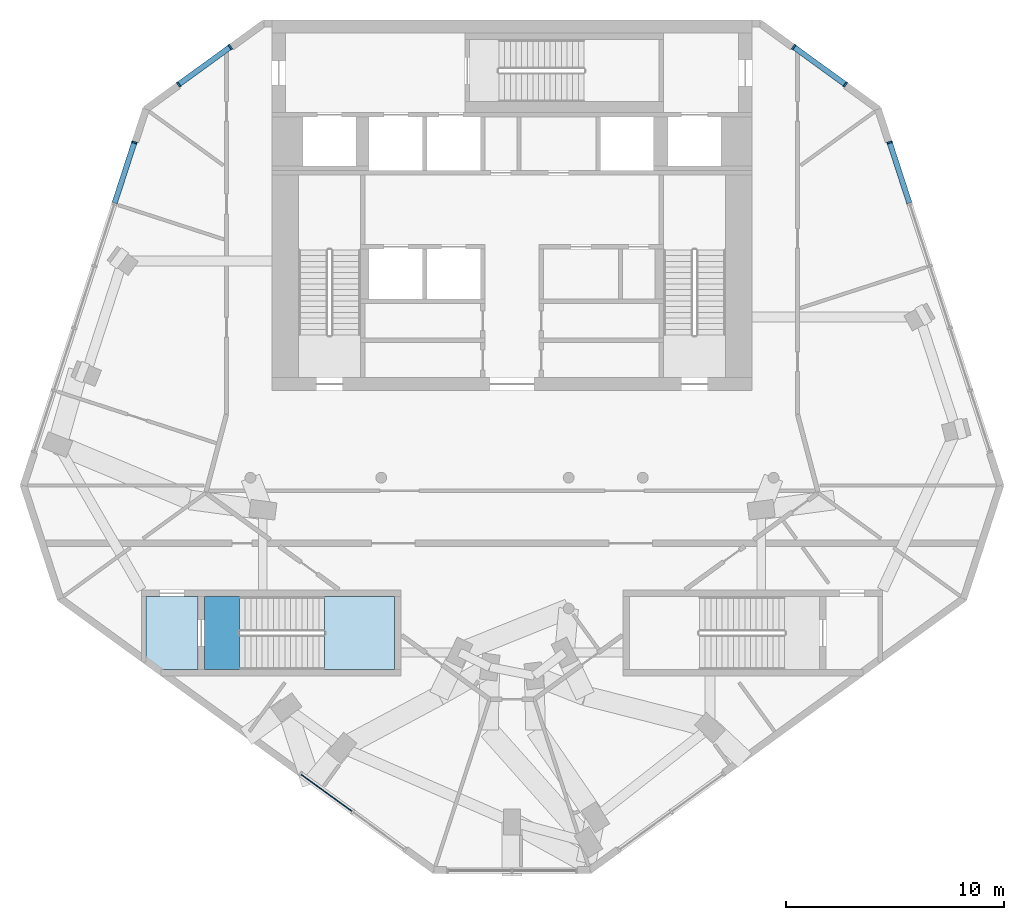
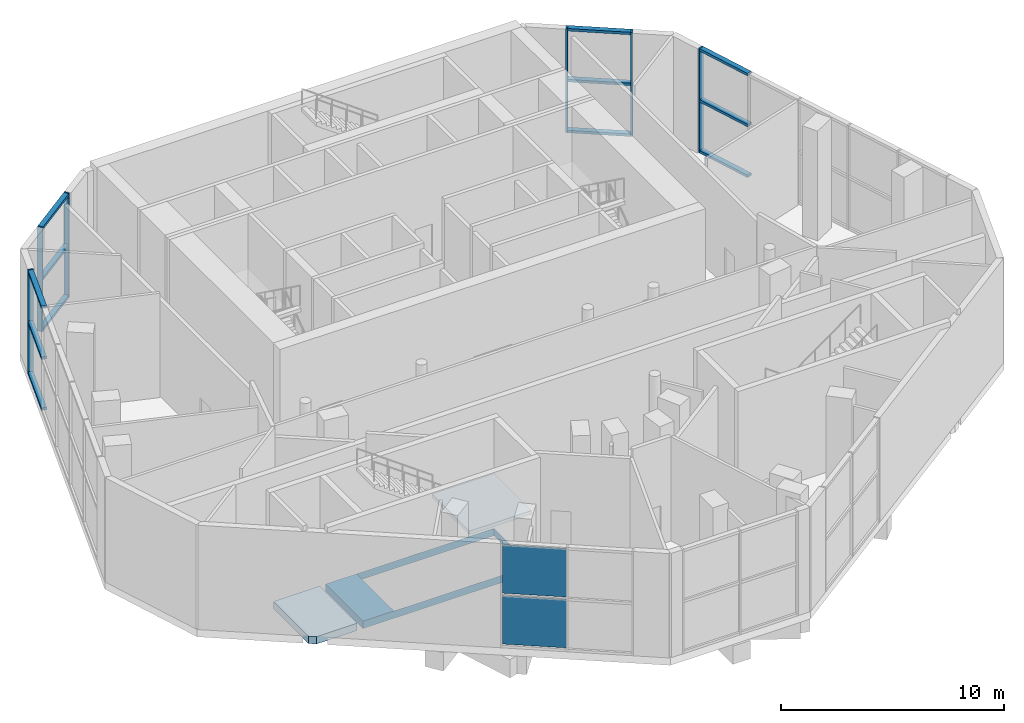
# One storey, part 4 of 11: 18 members, 3 slabs, 2 plates, 6 elements without a shape of their own.
"""IFC4 building model written with IfcOpenShell, lengths in metres."""

from ifc_helpers import new_model, si_unit, direction, frame, origin, origin_2d, place, context, subcontext, project, spatial, polyline, rectangle, outline, extrude, material, layer, layer_set, material_profile, profile_set, type_object, element, aggregate, save


model = new_model("IFC4")

# Units and contexts
model_context = context("Model", 3, precision=1e-05, world=origin(), true_north=direction((0.0, 1.0)))
body_context = subcontext(model_context, "Body", "Model", "MODEL_VIEW")
ifc_project = project(units=[si_unit("LENGTHUNIT", "METRE"), si_unit("AREAUNIT", "SQUARE_METRE"), si_unit("VOLUMEUNIT", "CUBIC_METRE"), si_unit("PLANEANGLEUNIT", "RADIAN"), si_unit("MASSUNIT", "GRAM", prefix="KILO")], contexts=[model_context])

# Site, building, storey
site_placement = place(None, origin())
site = spatial("IfcSite", under=ifc_project, at=site_placement, CompositionType="ELEMENT")
building_placement = place(site_placement, origin())
building = spatial("IfcBuilding", under=site, at=building_placement, Name="White Candle Pilgrim Tower", CompositionType="ELEMENT")
storey_placement = place(building_placement, frame((0.0, 0.0, 300.10009765625)))
storey = spatial("IfcBuildingStorey", under=building, at=storey_placement, Name="L71", CompositionType="ELEMENT", Elevation=300.10009765625)

# Curtain wall, member
ifc_material_1 = material(Name="Aluminium and glass", Category="aluminium")
curtain_wall_type = type_object("IfcCurtainWallType", Name="Curtain wall CW4 sky floor glazing", PredefinedType="NOTDEFINED", material=ifc_material_1)
curtain_wall_1_placement = place(storey_placement, origin())
curtain_wall_1 = element("IfcCurtainWall", 1, at=curtain_wall_1_placement, inside=storey, type_object=curtain_wall_type, Name="Curtain wall CW4 L71 ENE", PredefinedType="NOTDEFINED")
ifc_material_2 = material(Name="Aluminium", Category="aluminium")
ifc_material_profile_1 = material_profile(ifc_material_2, rectangle(XDim=0.25, YDim=0.080078125, at=origin_2d()), Name="CW4 mullion 80x250")
ifc_profile_set_1 = profile_set([ifc_material_profile_1], Name="Aluminium")
member_type_1 = type_object("IfcMemberType", Name="CW4 mullion 80x250", PredefinedType="MULLION", material=ifc_profile_set_1)
member_1_placement = place(storey_placement, frame((87.327880859375, 82.38232421875, 0.0), z_axis=(0.0, 0.0, 1.0), x_axis=(-0.951056521548, -0.309016978207, 0.0)))
member_1 = element("IfcMember", 2, at=member_1_placement, type_object=member_type_1, Name="CW4 mullion 6", PredefinedType="MULLION", context=body_context, shape_type="SweptSolid", body=[
    extrude(rectangle(XDim=0.25, YDim=0.080078125, at=origin_2d()), origin(), (0.0, 0.0, 1.0), 5.699951171875),
])

# Curtain wall, members
curtain_wall_2_placement = place(storey_placement, origin())
curtain_wall_2 = element("IfcCurtainWall", 3, at=curtain_wall_2_placement, inside=storey, type_object=curtain_wall_type, Name="Curtain wall CW4 L71 NE chamfer", PredefinedType="NOTDEFINED")
member_2_placement = place(storey_placement, frame((85.29150390625, 85.044921875, 0.0), z_axis=(0.0, 0.0, 1.0), x_axis=(-0.587785244244, -0.809017000222, 0.0)))
member_2 = element("IfcMember", 4, at=member_2_placement, type_object=member_type_1, Name="CW4 mullion 1", PredefinedType="MULLION", context=body_context, shape_type="SweptSolid", body=[
    extrude(rectangle(XDim=0.25, YDim=0.080078125, at=origin_2d()), origin(), (0.0, 0.0, 1.0), 5.699951171875),
])
member_3_placement = place(storey_placement, frame((82.92919921875, 86.76123046875, 0.0), z_axis=(0.0, 0.0, 1.0), x_axis=(-0.587785244244, -0.809017000222, 0.0)))
member_3 = element("IfcMember", 5, at=member_3_placement, type_object=member_type_1, Name="CW4 mullion 2", PredefinedType="MULLION", context=body_context, shape_type="SweptSolid", body=[
    extrude(rectangle(XDim=0.25, YDim=0.080078125, at=origin_2d()), origin(), (0.0, 0.0, 1.0), 5.699951171875),
])

curtain_wall_3_placement = place(storey_placement, origin())
curtain_wall_3 = element("IfcCurtainWall", 6, at=curtain_wall_3_placement, inside=storey, type_object=curtain_wall_type, Name="Curtain wall CW4 L71 NW chamfer", PredefinedType="NOTDEFINED")
member_4_placement = place(storey_placement, frame((57.07080078125, 86.76123046875, 0.0), z_axis=(0.0, 0.0, 1.0), x_axis=(0.587785244244, -0.809017000222, 0.0)))
member_4 = element("IfcMember", 7, at=member_4_placement, type_object=member_type_1, Name="CW4 mullion 1", PredefinedType="MULLION", context=body_context, shape_type="SweptSolid", body=[
    extrude(rectangle(XDim=0.25, YDim=0.080078125, at=origin_2d()), origin(), (0.0, 0.0, 1.0), 5.699951171875),
])
member_5_placement = place(storey_placement, frame((54.70849609375, 85.044921875, 0.0), z_axis=(0.0, 0.0, 1.0), x_axis=(0.587785244244, -0.809017000222, 0.0)))
member_5 = element("IfcMember", 8, at=member_5_placement, type_object=member_type_1, Name="CW4 mullion 2", PredefinedType="MULLION", context=body_context, shape_type="SweptSolid", body=[
    extrude(rectangle(XDim=0.25, YDim=0.080078125, at=origin_2d()), origin(), (0.0, 0.0, 1.0), 5.699951171875),
])

# Curtain wall, member
curtain_wall_4_placement = place(storey_placement, origin())
curtain_wall_4 = element("IfcCurtainWall", 9, at=curtain_wall_4_placement, inside=storey, type_object=curtain_wall_type, Name="Curtain wall CW4 L71 WNW", PredefinedType="NOTDEFINED")
member_6_placement = place(storey_placement, frame((52.672119140625, 82.38232421875, 0.0), z_axis=(0.0, 0.0, 1.0), x_axis=(0.951056521548, -0.309016978207, 0.0)))
member_6 = element("IfcMember", 10, at=member_6_placement, type_object=member_type_1, Name="CW4 mullion 1", PredefinedType="MULLION", context=body_context, shape_type="SweptSolid", body=[
    extrude(rectangle(XDim=0.25, YDim=0.080078125, at=origin_2d()), origin(), (0.0, 0.0, 1.0), 5.699951171875),
])

# Member
ifc_material_profile_2 = material_profile(ifc_material_2, rectangle(XDim=0.25, YDim=0.139892578125, at=origin_2d()), Name="CW4 transom 140x250")
ifc_profile_set_2 = profile_set([ifc_material_profile_2], Name="Aluminium")
member_type_2 = type_object("IfcMemberType", Name="CW4 transom 140x250", PredefinedType="USERDEFINED", material=ifc_profile_set_2)
member_7_placement = place(storey_placement, frame((88.22998046875, 79.605224609375, 0.06982421875), z_axis=(-0.308995979141, 0.951063344302, 0.0), x_axis=(-0.951063344302, -0.308995979141, 0.0)))
member_7 = element("IfcMember", 11, at=member_7_placement, type_object=member_type_2, Name="CW4 transom 5.1", ObjectType="TRANSOM", PredefinedType="USERDEFINED", context=body_context, shape_type="SweptSolid", body=[
    extrude(rectangle(XDim=0.25, YDim=0.139892578125, at=origin_2d()), origin(), (0.0, 0.0, 1.0), 2.8798828125),
])

member_8_placement = place(storey_placement, frame((88.22998046875, 79.605224609375, 2.849853515625), z_axis=(-0.308995979141, 0.951063344302, 0.0), x_axis=(-0.951063344302, -0.308995979141, 0.0)))
member_8 = element("IfcMember", 12, at=member_8_placement, type_object=member_type_2, Name="CW4 transom 5.2", ObjectType="TRANSOM", PredefinedType="USERDEFINED", context=body_context, shape_type="SweptSolid", body=[
    extrude(rectangle(XDim=0.25, YDim=0.139892578125, at=origin_2d()), origin(), (0.0, 0.0, 1.0), 2.8798828125),
])

member_9_placement = place(storey_placement, frame((88.22998046875, 79.605224609375, 5.6298828125), z_axis=(-0.308995979141, 0.951063344302, 0.0), x_axis=(-0.951063344302, -0.308995979141, 0.0)))
member_9 = element("IfcMember", 13, at=member_9_placement, type_object=member_type_2, Name="CW4 transom 5.3", ObjectType="TRANSOM", PredefinedType="USERDEFINED", context=body_context, shape_type="SweptSolid", body=[
    extrude(rectangle(XDim=0.25, YDim=0.139892578125, at=origin_2d()), origin(), (0.0, 0.0, 1.0), 2.8798828125),
])

aggregate(curtain_wall_1, [member_1, member_7, member_8, member_9])

member_10_placement = place(storey_placement, frame((85.25927734375, 85.068603515625, 0.06982421875), z_axis=(-0.80903709578, 0.587757584087, 0.0), x_axis=(-0.587757584087, -0.80903709578, 0.0)))
member_10 = element("IfcMember", 14, at=member_10_placement, type_object=member_type_2, Name="CW4 transom 1.1", ObjectType="TRANSOM", PredefinedType="USERDEFINED", context=body_context, shape_type="SweptSolid", body=[
    extrude(rectangle(XDim=0.25, YDim=0.139892578125, at=origin_2d()), origin(), (0.0, 0.0, 1.0), 2.83984375),
])

member_11_placement = place(storey_placement, frame((85.25927734375, 85.068603515625, 2.849853515625), z_axis=(-0.80903709578, 0.587757584087, 0.0), x_axis=(-0.587757584087, -0.80903709578, 0.0)))
member_11 = element("IfcMember", 15, at=member_11_placement, type_object=member_type_2, Name="CW4 transom 1.2", ObjectType="TRANSOM", PredefinedType="USERDEFINED", context=body_context, shape_type="SweptSolid", body=[
    extrude(rectangle(XDim=0.25, YDim=0.139892578125, at=origin_2d()), origin(), (0.0, 0.0, 1.0), 2.83984375),
])

member_12_placement = place(storey_placement, frame((85.25927734375, 85.068603515625, 5.6298828125), z_axis=(-0.80903709578, 0.587757584087, 0.0), x_axis=(-0.587757584087, -0.80903709578, 0.0)))
member_12 = element("IfcMember", 16, at=member_12_placement, type_object=member_type_2, Name="CW4 transom 1.3", ObjectType="TRANSOM", PredefinedType="USERDEFINED", context=body_context, shape_type="SweptSolid", body=[
    extrude(rectangle(XDim=0.25, YDim=0.139892578125, at=origin_2d()), origin(), (0.0, 0.0, 1.0), 2.83984375),
])

aggregate(curtain_wall_2, [member_2, member_3, member_10, member_11, member_12])

member_13_placement = place(storey_placement, frame((57.038330078125, 86.73779296875, 0.06982421875), z_axis=(-0.80903709578, -0.587757584087, 0.0), x_axis=(0.587757584087, -0.80903709578, 0.0)))
member_13 = element("IfcMember", 17, at=member_13_placement, type_object=member_type_2, Name="CW4 transom 1.1", ObjectType="TRANSOM", PredefinedType="USERDEFINED", context=body_context, shape_type="SweptSolid", body=[
    extrude(rectangle(XDim=0.25, YDim=0.139892578125, at=origin_2d()), origin(), (0.0, 0.0, 1.0), 2.83984375),
])

member_14_placement = place(storey_placement, frame((57.038330078125, 86.73779296875, 2.849853515625), z_axis=(-0.80903709578, -0.587757584087, 0.0), x_axis=(0.587757584087, -0.80903709578, 0.0)))
member_14 = element("IfcMember", 18, at=member_14_placement, type_object=member_type_2, Name="CW4 transom 1.2", ObjectType="TRANSOM", PredefinedType="USERDEFINED", context=body_context, shape_type="SweptSolid", body=[
    extrude(rectangle(XDim=0.25, YDim=0.139892578125, at=origin_2d()), origin(), (0.0, 0.0, 1.0), 2.83984375),
])

member_15_placement = place(storey_placement, frame((57.038330078125, 86.73779296875, 5.6298828125), z_axis=(-0.80903709578, -0.587757584087, 0.0), x_axis=(0.587757584087, -0.80903709578, 0.0)))
member_15 = element("IfcMember", 19, at=member_15_placement, type_object=member_type_2, Name="CW4 transom 1.3", ObjectType="TRANSOM", PredefinedType="USERDEFINED", context=body_context, shape_type="SweptSolid", body=[
    extrude(rectangle(XDim=0.25, YDim=0.139892578125, at=origin_2d()), origin(), (0.0, 0.0, 1.0), 2.83984375),
])

aggregate(curtain_wall_3, [member_4, member_5, member_13, member_14, member_15])

member_16_placement = place(storey_placement, frame((52.659912109375, 82.34423828125, 0.06982421875), z_axis=(-0.308995979141, -0.951063344302, 0.0), x_axis=(0.951063344302, -0.308995979141, 0.0)))
member_16 = element("IfcMember", 20, at=member_16_placement, type_object=member_type_2, Name="CW4 transom 1.1", ObjectType="TRANSOM", PredefinedType="USERDEFINED", context=body_context, shape_type="SweptSolid", body=[
    extrude(rectangle(XDim=0.25, YDim=0.139892578125, at=origin_2d()), origin(), (0.0, 0.0, 1.0), 2.8798828125),
])

member_17_placement = place(storey_placement, frame((52.659912109375, 82.34423828125, 2.849853515625), z_axis=(-0.308995979141, -0.951063344302, 0.0), x_axis=(0.951063344302, -0.308995979141, 0.0)))
member_17 = element("IfcMember", 21, at=member_17_placement, type_object=member_type_2, Name="CW4 transom 1.2", ObjectType="TRANSOM", PredefinedType="USERDEFINED", context=body_context, shape_type="SweptSolid", body=[
    extrude(rectangle(XDim=0.25, YDim=0.139892578125, at=origin_2d()), origin(), (0.0, 0.0, 1.0), 2.8798828125),
])

member_18_placement = place(storey_placement, frame((52.659912109375, 82.34423828125, 5.6298828125), z_axis=(-0.308995979141, -0.951063344302, 0.0), x_axis=(0.951063344302, -0.308995979141, 0.0)))
member_18 = element("IfcMember", 22, at=member_18_placement, type_object=member_type_2, Name="CW4 transom 1.3", ObjectType="TRANSOM", PredefinedType="USERDEFINED", context=body_context, shape_type="SweptSolid", body=[
    extrude(rectangle(XDim=0.25, YDim=0.139892578125, at=origin_2d()), origin(), (0.0, 0.0, 1.0), 2.8798828125),
])

aggregate(curtain_wall_4, [member_6, member_16, member_17, member_18])

# Curtain wall, plates
curtain_wall_5_placement = place(storey_placement, origin())
curtain_wall_5 = element("IfcCurtainWall", 23, at=curtain_wall_5_placement, inside=storey, type_object=curtain_wall_type, Name="Curtain wall CW4 L71 SW", PredefinedType="NOTDEFINED")
ifc_material_3 = material(Name="Glass, triple glazed", Category="glass")
ifc_layer_1 = layer(ifc_material_3, 0.0439453125)
ifc_layer_set_1 = layer_set([ifc_layer_1], Name="CW4 glazing panel 44")
plate_type = type_object("IfcPlateType", Name="CW4 glazing panel 44", PredefinedType="CURTAIN_PANEL", material=ifc_layer_set_1)
plate_1_placement = place(storey_placement, frame((61.491455078125, 52.541015625, 0.14013671875), z_axis=(0.0, 0.0, 1.0), x_axis=(0.809016988733, -0.587785260058, 0.0)))
plate_1 = element("IfcPlate", 24, at=plate_1_placement, type_object=plate_type, Name="CW4 panel 1.1", PredefinedType="CURTAIN_PANEL", context=body_context, shape_type="SweptSolid", body=[
    extrude(rectangle(XDim=2.8798828125, YDim=0.0439453125, at=origin_2d()), origin(), (0.0, 0.0, 1.0), 2.639892578125),
])
plate_2_placement = place(storey_placement, frame((61.491455078125, 52.541015625, 2.919921875), z_axis=(0.0, 0.0, 1.0), x_axis=(0.809016988733, -0.587785260058, 0.0)))
plate_2 = element("IfcPlate", 25, at=plate_2_placement, type_object=plate_type, Name="CW4 panel 1.2", PredefinedType="CURTAIN_PANEL", context=body_context, shape_type="SweptSolid", body=[
    extrude(rectangle(XDim=2.8798828125, YDim=0.0439453125, at=origin_2d()), origin(), (0.0, 0.0, 1.0), 2.639892578125),
])
aggregate(curtain_wall_5, [plate_1, plate_2])

# Slabs
ifc_material_4 = material(Name="Concrete C40/50", Category="concrete")
ifc_layer_2 = layer(ifc_material_4, 0.39990234375)
ifc_layer_set_2 = layer_set([ifc_layer_2], Name="Core floor slab 400 mm Concrete C40/50")
slab_type_1 = type_object("IfcSlabType", Name="Core floor slab 400 mm Concrete C40/50", PredefinedType="FLOOR", material=ifc_layer_set_2)
slab_1_placement = place(storey_placement, frame((0.0, 0.0, -0.400146484375)))
element("IfcSlab", 26, at=slab_1_placement, inside=storey, type_object=slab_type_1, Name="CF-L71-01", PredefinedType="FLOOR", context=body_context, shape_type="SweptSolid", body=[
    extrude(outline(polyline([(53.90283203125, 58.199951171875), (53.489990234375, 58.199951171875), (53.199951171875, 58.41064453125), (53.199951171875, 58.555908203125), (53.199951171875, 61.550048828125), (55.60009765625, 61.550048828125), (55.60009765625, 58.199951171875), (53.90283203125, 58.199951171875)])), origin(), (0.0, 0.0, 1.0), 0.400146484375),
])
slab_2_placement = place(storey_placement, frame((0.0, 0.0, -0.400146484375)))
element("IfcSlab", 27, at=slab_2_placement, inside=storey, type_object=slab_type_1, Name="CF-L71-02", PredefinedType="FLOOR", context=body_context, shape_type="SweptSolid", body=[
    extrude(outline(polyline([(55.89990234375, 58.199951171875), (55.89990234375, 61.550048828125), (64.60009765625, 61.550048828125), (64.60009765625, 58.199951171875), (55.89990234375, 58.199951171875)]), holes=[polyline([(57.501953125, 61.548095703125), (57.501953125, 58.201904296875), (64.597900390625, 58.201904296875), (64.597900390625, 61.548095703125), (57.501953125, 61.548095703125)])]), origin(), (0.0, 0.0, 1.0), 0.400146484375),
])

# Stair, slab
stair_type = type_object("IfcStairType", Name="Exit stair 5 flight width 1600 mm", PredefinedType="HALF_TURN_STAIR", material=ifc_material_4)
stair_placement = place(storey_placement, origin())
stair = element("IfcStair", 28, at=stair_placement, inside=storey, type_object=stair_type, Name="L71 stair 5", PredefinedType="NOTDEFINED")
ifc_layer_3 = layer(ifc_material_4, 0.199951171875)
ifc_layer_set_3 = layer_set([ifc_layer_3], Name="Stair landing Concrete C40/50")
slab_type_2 = type_object("IfcSlabType", Name="Stair landing Concrete C40/50", PredefinedType="LANDING", material=ifc_layer_set_3)
slab_3_placement = place(storey_placement, frame((0.0, 0.0, 2.7998046875)))
slab_3 = element("IfcSlab", 29, at=slab_3_placement, type_object=slab_type_2, Name="ST5 landing 1", PredefinedType="LANDING", context=body_context, shape_type="SweptSolid", body=[
    extrude(outline(polyline([(61.39794921875, 58.197998046875), (61.39794921875, 61.552001953125), (64.60205078125, 61.552001953125), (64.60205078125, 58.197998046875), (61.39794921875, 58.197998046875)])), origin(), (0.0, 0.0, 1.0), 0.2001953125),
])
aggregate(stair, [slab_3])

save(model, "model.ifc")
